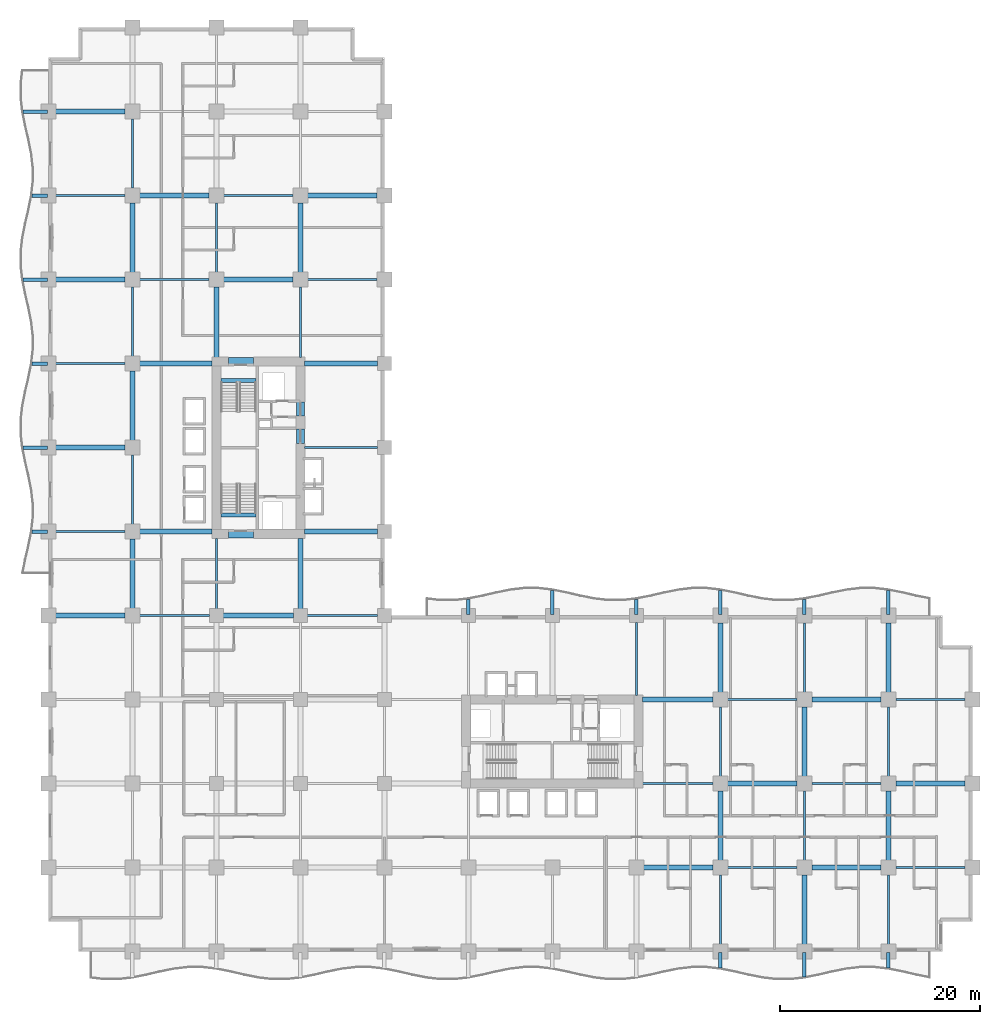
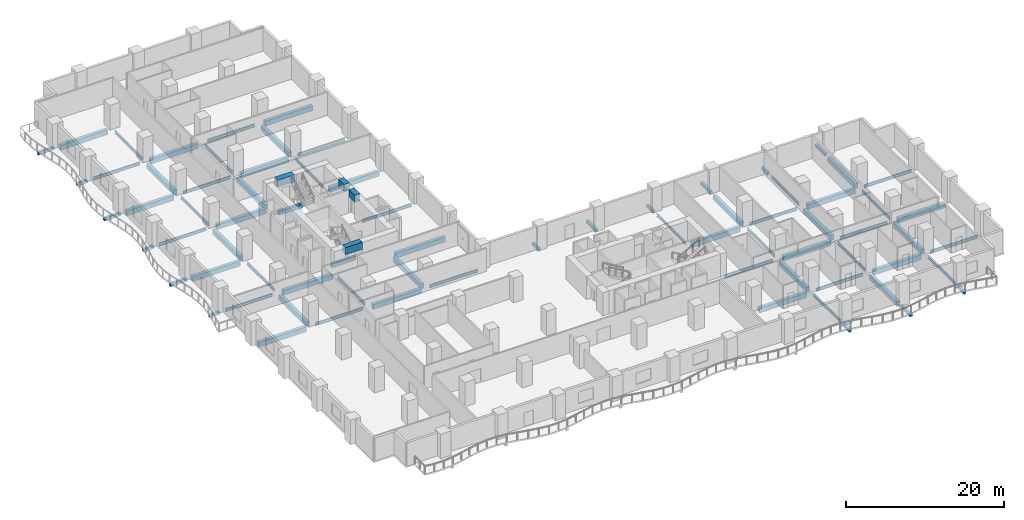
# One storey, part 2 of 18: 79 beams.
"""IFC4 building model written with IfcOpenShell, lengths in metres."""

from ifc_helpers import new_model, si_unit, direction, frame, origin, origin_2d, place, context, subcontext, project, spatial, rectangle, i_section, extrude, material, material_profile, profile_set, type_object, element, save


model = new_model("IFC4")

# Units and contexts
model_context = context("Model", 3, precision=1e-05, world=origin(), true_north=direction((0.0, 1.0)))
body_context = subcontext(model_context, "Body", "Model", "MODEL_VIEW")
ifc_project = project(units=[si_unit("LENGTHUNIT", "METRE"), si_unit("AREAUNIT", "SQUARE_METRE"), si_unit("VOLUMEUNIT", "CUBIC_METRE"), si_unit("PLANEANGLEUNIT", "RADIAN"), si_unit("MASSUNIT", "GRAM", prefix="KILO")], contexts=[model_context])

# Site, building, storey
site_placement = place(None, origin())
site = spatial("IfcSite", under=ifc_project, at=site_placement, CompositionType="ELEMENT")
building_placement = place(site_placement, origin())
building = spatial("IfcBuilding", under=site, at=building_placement, Name="Koriwani Terraces Tower", CompositionType="ELEMENT")
storey_placement = place(building_placement, frame((0.0, 0.0, 81.39990234375)))
storey = spatial("IfcBuildingStorey", under=building, at=storey_placement, Name="L19", CompositionType="ELEMENT", Elevation=81.39990234375)

# Beams
ifc_material_1 = material(Name="Concrete C40/50", Category="concrete")
ifc_material_profile_1 = material_profile(ifc_material_1, rectangle(XDim=0.35009765625, YDim=0.449951171875, at=origin_2d()), Name="Concrete C40/50", Category="LoadBearing")
ifc_profile_set_1 = profile_set([ifc_material_profile_1], Name="Concrete C40/50")
beam_type_1 = type_object("IfcBeamType", Name="BEAM_RC_BALCONY_RIB_350X450", PredefinedType="JOIST", material=ifc_profile_set_1)
beam_1_placement = place(storey_placement, frame((67.199951171875, -1.633056640625, -0.474853515625), z_axis=(0.0, 1.0, 0.0), x_axis=(-1.0, 0.0, 0.0)))
element("IfcBeam", 1, at=beam_1_placement, inside=storey, type_object=beam_type_1, Name="L19 Balcony Bracket Rib S-8", PredefinedType="JOIST", context=body_context, shape_type="SweptSolid", body=[
    extrude(rectangle(XDim=0.35009765625, YDim=0.449951171875, at=origin_2d()), origin(), (0.0, 0.0, 1.0), 1.532958984375),
])
beam_2_placement = place(storey_placement, frame((75.60009765625, -2.516845703125, -0.474853515625), z_axis=(0.0, 1.0, 0.0), x_axis=(-1.0, 0.0, 0.0)))
element("IfcBeam", 2, at=beam_2_placement, inside=storey, type_object=beam_type_1, Name="L19 Balcony Bracket Rib S-9", PredefinedType="JOIST", context=body_context, shape_type="SweptSolid", body=[
    extrude(rectangle(XDim=0.35009765625, YDim=0.449951171875, at=origin_2d()), origin(), (0.0, 0.0, 1.0), 2.416748046875),
])
for number, where, z_axis, x_axis, name in (
    (3, (84.0, -1.633056640625, -0.474853515625), (0.0, 1.0, 0.0), (-1.0, 0.0, 0.0), "L19 Balcony Bracket Rib S-10"),
    (4, (-1.633056640625, 42.0, -0.474853515625), (1.0, 0.0, 0.0), (0.0, 1.0, 0.0), "L19 Balcony Bracket Rib W-1"),
):
    element("IfcBeam", number, at=place(storey_placement, frame(where, z_axis=z_axis, x_axis=x_axis)), inside=storey, type_object=beam_type_1, Name=name, PredefinedType="JOIST", context=body_context, shape_type="SweptSolid", body=[
        extrude(rectangle(XDim=0.35009765625, YDim=0.449951171875, at=origin_2d()), origin(), (0.0, 0.0, 1.0), 1.532958984375),
    ])
beam_3_placement = place(storey_placement, frame((-2.516845703125, 50.39990234375, -0.474853515625), z_axis=(1.0, 0.0, 0.0), x_axis=(0.0, 1.0, 0.0)))
element("IfcBeam", 5, at=beam_3_placement, inside=storey, type_object=beam_type_1, Name="L19 Balcony Bracket Rib W-2", PredefinedType="JOIST", context=body_context, shape_type="SweptSolid", body=[
    extrude(rectangle(XDim=0.35009765625, YDim=0.449951171875, at=origin_2d()), origin(), (0.0, 0.0, 1.0), 2.416748046875),
])
beam_4_placement = place(storey_placement, frame((-1.633056640625, 58.800048828125, -0.474853515625), z_axis=(1.0, 0.0, 0.0), x_axis=(0.0, 1.0, 0.0)))
element("IfcBeam", 6, at=beam_4_placement, inside=storey, type_object=beam_type_1, Name="L19 Balcony Bracket Rib W-3", PredefinedType="JOIST", context=body_context, shape_type="SweptSolid", body=[
    extrude(rectangle(XDim=0.35009765625, YDim=0.449951171875, at=origin_2d()), origin(), (0.0, 0.0, 1.0), 1.532958984375),
])
beam_5_placement = place(storey_placement, frame((-2.516845703125, 67.199951171875, -0.474853515625), z_axis=(1.0, 0.0, 0.0), x_axis=(0.0, 1.0, 0.0)))
element("IfcBeam", 7, at=beam_5_placement, inside=storey, type_object=beam_type_1, Name="L19 Balcony Bracket Rib W-4", PredefinedType="JOIST", context=body_context, shape_type="SweptSolid", body=[
    extrude(rectangle(XDim=0.35009765625, YDim=0.449951171875, at=origin_2d()), origin(), (0.0, 0.0, 1.0), 2.416748046875),
])
beam_6_placement = place(storey_placement, frame((-1.633056640625, 75.60009765625, -0.474853515625), z_axis=(1.0, 0.0, 0.0), x_axis=(0.0, 1.0, 0.0)))
element("IfcBeam", 8, at=beam_6_placement, inside=storey, type_object=beam_type_1, Name="L19 Balcony Bracket Rib W-5", PredefinedType="JOIST", context=body_context, shape_type="SweptSolid", body=[
    extrude(rectangle(XDim=0.35009765625, YDim=0.449951171875, at=origin_2d()), origin(), (0.0, 0.0, 1.0), 1.532958984375),
])
beam_7_placement = place(storey_placement, frame((-2.516845703125, 84.0, -0.474853515625), z_axis=(1.0, 0.0, 0.0), x_axis=(0.0, 1.0, 0.0)))
element("IfcBeam", 9, at=beam_7_placement, inside=storey, type_object=beam_type_1, Name="L19 Balcony Bracket Rib W-6", PredefinedType="JOIST", context=body_context, shape_type="SweptSolid", body=[
    extrude(rectangle(XDim=0.35009765625, YDim=0.449951171875, at=origin_2d()), origin(), (0.0, 0.0, 1.0), 2.416748046875),
])
beam_8_placement = place(storey_placement, frame((42.0, 33.699951171875, -0.474853515625), z_axis=(0.0, 1.0, 0.0), x_axis=(-1.0, 0.0, 0.0)))
element("IfcBeam", 10, at=beam_8_placement, inside=storey, type_object=beam_type_1, Name="L19 Balcony Bracket Rib NE-1", PredefinedType="JOIST", context=body_context, shape_type="SweptSolid", body=[
    extrude(rectangle(XDim=0.35009765625, YDim=0.449951171875, at=origin_2d()), origin(), (0.0, 0.0, 1.0), 1.533203125),
])
beam_9_placement = place(storey_placement, frame((50.39990234375, 33.699951171875, -0.474853515625), z_axis=(0.0, 1.0, 0.0), x_axis=(-1.0, 0.0, 0.0)))
element("IfcBeam", 11, at=beam_9_placement, inside=storey, type_object=beam_type_1, Name="L19 Balcony Bracket Rib NE-2", PredefinedType="JOIST", context=body_context, shape_type="SweptSolid", body=[
    extrude(rectangle(XDim=0.35009765625, YDim=0.449951171875, at=origin_2d()), origin(), (0.0, 0.0, 1.0), 2.4169921875),
])
beam_10_placement = place(storey_placement, frame((58.800048828125, 33.699951171875, -0.474853515625), z_axis=(0.0, 1.0, 0.0), x_axis=(-1.0, 0.0, 0.0)))
element("IfcBeam", 12, at=beam_10_placement, inside=storey, type_object=beam_type_1, Name="L19 Balcony Bracket Rib NE-3", PredefinedType="JOIST", context=body_context, shape_type="SweptSolid", body=[
    extrude(rectangle(XDim=0.35009765625, YDim=0.449951171875, at=origin_2d()), origin(), (0.0, 0.0, 1.0), 1.533203125),
])
beam_11_placement = place(storey_placement, frame((67.199951171875, 33.699951171875, -0.474853515625), z_axis=(0.0, 1.0, 0.0), x_axis=(-1.0, 0.0, 0.0)))
element("IfcBeam", 13, at=beam_11_placement, inside=storey, type_object=beam_type_1, Name="L19 Balcony Bracket Rib NE-4", PredefinedType="JOIST", context=body_context, shape_type="SweptSolid", body=[
    extrude(rectangle(XDim=0.35009765625, YDim=0.449951171875, at=origin_2d()), origin(), (0.0, 0.0, 1.0), 2.4169921875),
])
beam_12_placement = place(storey_placement, frame((75.60009765625, 33.699951171875, -0.474853515625), z_axis=(0.0, 1.0, 0.0), x_axis=(-1.0, 0.0, 0.0)))
element("IfcBeam", 14, at=beam_12_placement, inside=storey, type_object=beam_type_1, Name="L19 Balcony Bracket Rib NE-5", PredefinedType="JOIST", context=body_context, shape_type="SweptSolid", body=[
    extrude(rectangle(XDim=0.35009765625, YDim=0.449951171875, at=origin_2d()), origin(), (0.0, 0.0, 1.0), 1.533203125),
])
beam_13_placement = place(storey_placement, frame((84.0, 33.699951171875, -0.474853515625), z_axis=(0.0, 1.0, 0.0), x_axis=(-1.0, 0.0, 0.0)))
element("IfcBeam", 15, at=beam_13_placement, inside=storey, type_object=beam_type_1, Name="L19 Balcony Bracket Rib NE-6", PredefinedType="JOIST", context=body_context, shape_type="SweptSolid", body=[
    extrude(rectangle(XDim=0.35009765625, YDim=0.449951171875, at=origin_2d()), origin(), (0.0, 0.0, 1.0), 2.4169921875),
])
ifc_material_2 = material(Name="Concrete C60/75", Category="concrete")
ifc_material_profile_2 = material_profile(ifc_material_2, rectangle(XDim=0.800048828125, YDim=1.10009765625, at=origin_2d()), Name="Concrete C60/75", Category="LoadBearing")
ifc_profile_set_2 = profile_set([ifc_material_profile_2], Name="Concrete C60/75")
beam_type_2 = type_object("IfcBeamType", Name="BEAM_RC_COUPLING_800X1100", PredefinedType="LINTEL", material=ifc_profile_set_2)
beam_14_placement = place(storey_placement, frame((25.199951171875, 50.800048828125, 3.0), z_axis=(0.0, 1.0, 0.0), x_axis=(-1.0, 0.0, 0.0)))
element("IfcBeam", 16, at=beam_14_placement, inside=storey, type_object=beam_type_2, Name="L19 Core Coupling Lintel Beam WE1", PredefinedType="LINTEL", context=body_context, shape_type="SweptSolid", body=[
    extrude(rectangle(XDim=0.800048828125, YDim=1.10009765625, at=origin_2d()), origin(), (0.0, 0.0, 1.0), 1.47998046875),
])
beam_15_placement = place(storey_placement, frame((25.199951171875, 53.550048828125, 3.0), z_axis=(0.0, 1.0, 0.0), x_axis=(-1.0, 0.0, 0.0)))
element("IfcBeam", 17, at=beam_15_placement, inside=storey, type_object=beam_type_2, Name="L19 Core Coupling Lintel Beam WE2", PredefinedType="LINTEL", context=body_context, shape_type="SweptSolid", body=[
    extrude(rectangle(XDim=0.800048828125, YDim=1.10009765625, at=origin_2d()), origin(), (0.0, 0.0, 1.0), 1.39990234375),
])
for number, where, z_axis, x_axis, name in (
    (18, (18.0, 41.75, 3.0), (1.0, 0.0, 0.0), (0.0, 1.0, 0.0), "L19 Core Coupling Lintel Beam WS"),
    (19, (18.0, 59.0, 3.0), (1.0, 0.0, 0.0), (0.0, 1.0, 0.0), "L19 Core Coupling Lintel Beam WN"),
):
    element("IfcBeam", number, at=place(storey_placement, frame(where, z_axis=z_axis, x_axis=x_axis)), inside=storey, type_object=beam_type_2, Name=name, PredefinedType="LINTEL", context=body_context, shape_type="SweptSolid", body=[
        extrude(rectangle(XDim=0.800048828125, YDim=1.10009765625, at=origin_2d()), origin(), (0.0, 0.0, 1.0), 2.5),
    ])
ifc_material_profile_3 = material_profile(ifc_material_1, rectangle(XDim=0.39990234375, YDim=0.60009765625, at=origin_2d()), Name="Concrete C40/50", Category="LoadBearing")
ifc_profile_set_3 = profile_set([ifc_material_profile_3], Name="Concrete C40/50")
beam_type_3 = type_object("IfcBeamType", Name="BEAM_RC_GRID_400X600", PredefinedType="BEAM", material=ifc_profile_set_3)
for number, where, z_axis, x_axis, name in (
    (20, (17.25, 43.655029296875, -0.2998046875), (1.0, 0.0, 0.0), (0.0, 1.0, 0.0), "L19 Stairwell Header Trimmer Beam ST-W1"),
    (21, (17.25, 57.094970703125, -0.2998046875), (1.0, 0.0, 0.0), (0.0, 1.0, 0.0), "L19 Stairwell Header Trimmer Beam ST-W2"),
):
    element("IfcBeam", number, at=place(storey_placement, frame(where, z_axis=z_axis, x_axis=x_axis)), inside=storey, type_object=beam_type_3, Name=name, PredefinedType="BEAM", context=body_context, shape_type="SweptSolid", body=[
        extrude(rectangle(XDim=0.39990234375, YDim=0.60009765625, at=origin_2d()), origin(), (0.0, 0.0, 1.0), 3.5),
    ])
ifc_material_3 = material(Name="Concrete C50/60", Category="concrete")
ifc_material_profile_4 = material_profile(ifc_material_3, rectangle(XDim=0.5, YDim=0.75, at=origin_2d()), Name="Concrete C50/60", Category="LoadBearing")
ifc_profile_set_4 = profile_set([ifc_material_profile_4], Name="Concrete C50/60")
beam_type_4 = type_object("IfcBeamType", Name="BEAM_RC_GRID_500X750", PredefinedType="BEAM", material=ifc_profile_set_4)
for number, where, z_axis, x_axis, name in (
    (22, (59.530029296875, 8.39990234375, -0.625), (1.0, 0.0, 0.0), (0.0, 1.0, 0.0), "L19 Grid Beam B (58.8-67.2m)"),
    (23, (76.330078125, 8.39990234375, -0.625), (1.0, 0.0, 0.0), (0.0, 1.0, 0.0), "L19 Grid Beam B (75.6-84.0m)"),
):
    element("IfcBeam", number, at=place(storey_placement, frame(where, z_axis=z_axis, x_axis=x_axis)), inside=storey, type_object=beam_type_4, Name=name, PredefinedType="BEAM", context=body_context, shape_type="SweptSolid", body=[
        extrude(rectangle(XDim=0.5, YDim=0.75, at=origin_2d()), origin(), (0.0, 0.0, 1.0), 6.93994140625),
    ])
beam_16_placement = place(storey_placement, frame((67.929931640625, 16.800048828125, -0.625), z_axis=(1.0, 0.0, 0.0), x_axis=(0.0, 1.0, 0.0)))
element("IfcBeam", 24, at=beam_16_placement, inside=storey, type_object=beam_type_4, Name="L19 Grid Beam C (67.2-75.6m)", PredefinedType="BEAM", context=body_context, shape_type="SweptSolid", body=[
    extrude(rectangle(XDim=0.5, YDim=0.75, at=origin_2d()), origin(), (0.0, 0.0, 1.0), 6.940185546875),
])
beam_17_placement = place(storey_placement, frame((84.72998046875, 16.800048828125, -0.625), z_axis=(1.0, 0.0, 0.0), x_axis=(0.0, 1.0, 0.0)))
element("IfcBeam", 25, at=beam_17_placement, inside=storey, type_object=beam_type_4, Name="L19 Grid Beam C (84.0-92.4m)", PredefinedType="BEAM", context=body_context, shape_type="SweptSolid", body=[
    extrude(rectangle(XDim=0.5, YDim=0.75, at=origin_2d()), origin(), (0.0, 0.0, 1.0), 6.93994140625),
])
beam_18_placement = place(storey_placement, frame((59.429931640625, 25.199951171875, -0.625), z_axis=(1.0, 0.0, 0.0), x_axis=(0.0, 1.0, 0.0)))
element("IfcBeam", 26, at=beam_18_placement, inside=storey, type_object=beam_type_4, Name="L19 Grid Beam D (58.8-67.2m)", PredefinedType="BEAM", context=body_context, shape_type="SweptSolid", body=[
    extrude(rectangle(XDim=0.5, YDim=0.75, at=origin_2d()), origin(), (0.0, 0.0, 1.0), 7.0400390625),
])
for number, where, z_axis, x_axis, name in (
    (27, (76.330078125, 25.199951171875, -0.625), (1.0, 0.0, 0.0), (0.0, 1.0, 0.0), "L19 Grid Beam D (75.6-84.0m)"),
    (28, (0.72998046875, 33.60009765625, -0.625), (1.0, 0.0, 0.0), (0.0, 1.0, 0.0), "L19 Grid Beam E (0.0-8.4m)"),
):
    element("IfcBeam", number, at=place(storey_placement, frame(where, z_axis=z_axis, x_axis=x_axis)), inside=storey, type_object=beam_type_4, Name=name, PredefinedType="BEAM", context=body_context, shape_type="SweptSolid", body=[
        extrude(rectangle(XDim=0.5, YDim=0.75, at=origin_2d()), origin(), (0.0, 0.0, 1.0), 6.93994140625),
    ])
beam_19_placement = place(storey_placement, frame((17.47998046875, 33.60009765625, -0.625), z_axis=(1.0, 0.0, 0.0), x_axis=(0.0, 1.0, 0.0)))
element("IfcBeam", 29, at=beam_19_placement, inside=storey, type_object=beam_type_4, Name="L19 Grid Beam E (16.8-25.2m)", PredefinedType="BEAM", context=body_context, shape_type="SweptSolid", body=[
    extrude(rectangle(XDim=0.5, YDim=0.75, at=origin_2d()), origin(), (0.0, 0.0, 1.0), 7.0400390625),
])
beam_20_placement = place(storey_placement, frame((9.1298828125, 42.0, -0.625), z_axis=(1.0, 0.0, 0.0), x_axis=(0.0, 1.0, 0.0)))
element("IfcBeam", 30, at=beam_20_placement, inside=storey, type_object=beam_type_4, Name="L19 Grid Beam F (8.4-16.8m)", PredefinedType="BEAM", context=body_context, shape_type="SweptSolid", body=[
    extrude(rectangle(XDim=0.5, YDim=0.75, at=origin_2d()), origin(), (0.0, 0.0, 1.0), 7.240234375),
])
beam_21_placement = place(storey_placement, frame((25.6298828125, 42.0, -0.625), z_axis=(1.0, 0.0, 0.0), x_axis=(0.0, 1.0, 0.0)))
element("IfcBeam", 31, at=beam_21_placement, inside=storey, type_object=beam_type_4, Name="L19 Grid Beam F (25.2-33.6m)", PredefinedType="BEAM", context=body_context, shape_type="SweptSolid", body=[
    extrude(rectangle(XDim=0.5, YDim=0.75, at=origin_2d()), origin(), (0.0, 0.0, 1.0), 7.2900390625),
])
beam_22_placement = place(storey_placement, frame((0.72998046875, 50.39990234375, -0.625), z_axis=(1.0, 0.0, 0.0), x_axis=(0.0, 1.0, 0.0)))
element("IfcBeam", 32, at=beam_22_placement, inside=storey, type_object=beam_type_4, Name="L19 Grid Beam G (0.0-8.4m)", PredefinedType="BEAM", context=body_context, shape_type="SweptSolid", body=[
    extrude(rectangle(XDim=0.5, YDim=0.75, at=origin_2d()), origin(), (0.0, 0.0, 1.0), 6.93994140625),
])
beam_23_placement = place(storey_placement, frame((9.1298828125, 58.800048828125, -0.625), z_axis=(1.0, 0.0, 0.0), x_axis=(0.0, 1.0, 0.0)))
element("IfcBeam", 33, at=beam_23_placement, inside=storey, type_object=beam_type_4, Name="L19 Grid Beam H (8.4-16.8m)", PredefinedType="BEAM", context=body_context, shape_type="SweptSolid", body=[
    extrude(rectangle(XDim=0.5, YDim=0.75, at=origin_2d()), origin(), (0.0, 0.0, 1.0), 7.240234375),
])
beam_24_placement = place(storey_placement, frame((25.6298828125, 58.800048828125, -0.625), z_axis=(1.0, 0.0, 0.0), x_axis=(0.0, 1.0, 0.0)))
element("IfcBeam", 34, at=beam_24_placement, inside=storey, type_object=beam_type_4, Name="L19 Grid Beam H (25.2-33.6m)", PredefinedType="BEAM", context=body_context, shape_type="SweptSolid", body=[
    extrude(rectangle(XDim=0.5, YDim=0.75, at=origin_2d()), origin(), (0.0, 0.0, 1.0), 7.2900390625),
])
for number, where, z_axis, x_axis, name in (
    (35, (0.72998046875, 67.199951171875, -0.625), (1.0, 0.0, 0.0), (0.0, 1.0, 0.0), "L19 Grid Beam I (0.0-8.4m)"),
    (36, (17.530029296875, 67.199951171875, -0.625), (1.0, 0.0, 0.0), (0.0, 1.0, 0.0), "L19 Grid Beam I (16.8-25.2m)"),
):
    element("IfcBeam", number, at=place(storey_placement, frame(where, z_axis=z_axis, x_axis=x_axis)), inside=storey, type_object=beam_type_4, Name=name, PredefinedType="BEAM", context=body_context, shape_type="SweptSolid", body=[
        extrude(rectangle(XDim=0.5, YDim=0.75, at=origin_2d()), origin(), (0.0, 0.0, 1.0), 6.93994140625),
    ])
for number, where, z_axis, x_axis, name in (
    (37, (9.1298828125, 75.60009765625, -0.625), (1.0, 0.0, 0.0), (0.0, 1.0, 0.0), "L19 Grid Beam J (8.4-16.8m)"),
    (38, (25.929931640625, 75.60009765625, -0.625), (1.0, 0.0, 0.0), (0.0, 1.0, 0.0), "L19 Grid Beam J (25.2-33.6m)"),
):
    element("IfcBeam", number, at=place(storey_placement, frame(where, z_axis=z_axis, x_axis=x_axis)), inside=storey, type_object=beam_type_4, Name=name, PredefinedType="BEAM", context=body_context, shape_type="SweptSolid", body=[
        extrude(rectangle(XDim=0.5, YDim=0.75, at=origin_2d()), origin(), (0.0, 0.0, 1.0), 6.940185546875),
    ])
for number, where, z_axis, x_axis, name in (
    (39, (0.72998046875, 84.0, -0.625), (1.0, 0.0, 0.0), (0.0, 1.0, 0.0), "L19 Grid Beam K (0.0-8.4m)"),
    (40, (8.39990234375, 34.330078125, -0.625), (0.0, 1.0, 0.0), (-1.0, 0.0, 0.0), "L19 Grid Beam 2 (33.6-42.0m)"),
):
    element("IfcBeam", number, at=place(storey_placement, frame(where, z_axis=z_axis, x_axis=x_axis)), inside=storey, type_object=beam_type_4, Name=name, PredefinedType="BEAM", context=body_context, shape_type="SweptSolid", body=[
        extrude(rectangle(XDim=0.5, YDim=0.75, at=origin_2d()), origin(), (0.0, 0.0, 1.0), 6.93994140625),
    ])
for number, where, z_axis, x_axis, name in (
    (41, (8.39990234375, 51.1298828125, -0.625), (0.0, 1.0, 0.0), (-1.0, 0.0, 0.0), "L19 Grid Beam 2 (50.4-58.8m)"),
    (42, (8.39990234375, 67.929931640625, -0.625), (0.0, 1.0, 0.0), (-1.0, 0.0, 0.0), "L19 Grid Beam 2 (67.2-75.6m)"),
):
    element("IfcBeam", number, at=place(storey_placement, frame(where, z_axis=z_axis, x_axis=x_axis)), inside=storey, type_object=beam_type_4, Name=name, PredefinedType="BEAM", context=body_context, shape_type="SweptSolid", body=[
        extrude(rectangle(XDim=0.5, YDim=0.75, at=origin_2d()), origin(), (0.0, 0.0, 1.0), 6.940185546875),
    ])
for number, where, z_axis, x_axis, name in (
    (43, (16.800048828125, 59.429931640625, -0.625), (0.0, 1.0, 0.0), (-1.0, 0.0, 0.0), "L19 Grid Beam 3 (58.8-67.2m)"),
    (44, (25.199951171875, 34.280029296875, -0.625), (0.0, 1.0, 0.0), (-1.0, 0.0, 0.0), "L19 Grid Beam 4 (33.6-42.0m)"),
):
    element("IfcBeam", number, at=place(storey_placement, frame(where, z_axis=z_axis, x_axis=x_axis)), inside=storey, type_object=beam_type_4, Name=name, PredefinedType="BEAM", context=body_context, shape_type="SweptSolid", body=[
        extrude(rectangle(XDim=0.5, YDim=0.75, at=origin_2d()), origin(), (0.0, 0.0, 1.0), 7.0400390625),
    ])
for number, where, z_axis, x_axis, name in (
    (45, (25.199951171875, 67.929931640625, -0.625), (0.0, 1.0, 0.0), (-1.0, 0.0, 0.0), "L19 Grid Beam 4 (67.2-75.6m)"),
    (46, (67.199951171875, 9.1298828125, -0.625), (0.0, 1.0, 0.0), (-1.0, 0.0, 0.0), "L19 Grid Beam 9 (8.4-16.8m)"),
    (47, (67.199951171875, 25.929931640625, -0.625), (0.0, 1.0, 0.0), (-1.0, 0.0, 0.0), "L19 Grid Beam 9 (25.2-33.6m)"),
):
    element("IfcBeam", number, at=place(storey_placement, frame(where, z_axis=z_axis, x_axis=x_axis)), inside=storey, type_object=beam_type_4, Name=name, PredefinedType="BEAM", context=body_context, shape_type="SweptSolid", body=[
        extrude(rectangle(XDim=0.5, YDim=0.75, at=origin_2d()), origin(), (0.0, 0.0, 1.0), 6.940185546875),
    ])
for number, where, z_axis, x_axis, name in (
    (48, (75.60009765625, 0.72998046875, -0.625), (0.0, 1.0, 0.0), (-1.0, 0.0, 0.0), "L19 Grid Beam 10 (0.0-8.4m)"),
    (49, (75.60009765625, 17.530029296875, -0.625), (0.0, 1.0, 0.0), (-1.0, 0.0, 0.0), "L19 Grid Beam 10 (16.8-25.2m)"),
):
    element("IfcBeam", number, at=place(storey_placement, frame(where, z_axis=z_axis, x_axis=x_axis)), inside=storey, type_object=beam_type_4, Name=name, PredefinedType="BEAM", context=body_context, shape_type="SweptSolid", body=[
        extrude(rectangle(XDim=0.5, YDim=0.75, at=origin_2d()), origin(), (0.0, 0.0, 1.0), 6.93994140625),
    ])
for number, where, z_axis, x_axis, name in (
    (50, (84.0, 9.1298828125, -0.625), (0.0, 1.0, 0.0), (-1.0, 0.0, 0.0), "L19 Grid Beam 11 (8.4-16.8m)"),
    (51, (84.0, 25.929931640625, -0.625), (0.0, 1.0, 0.0), (-1.0, 0.0, 0.0), "L19 Grid Beam 11 (25.2-33.6m)"),
):
    element("IfcBeam", number, at=place(storey_placement, frame(where, z_axis=z_axis, x_axis=x_axis)), inside=storey, type_object=beam_type_4, Name=name, PredefinedType="BEAM", context=body_context, shape_type="SweptSolid", body=[
        extrude(rectangle(XDim=0.5, YDim=0.75, at=origin_2d()), origin(), (0.0, 0.0, 1.0), 6.940185546875),
    ])
ifc_material_4 = material(Name="Steel ASTM A572 Grade 50", Category="steel")
ifc_material_profile_5 = material_profile(ifc_material_4, i_section(OverallWidth=0.19189453125, OverallDepth=0.462890625, WebThickness=0.010498046875, FlangeThickness=0.01611328125, at=origin_2d()), Name="Steel ASTM A572 Grade 50", Category="LoadBearing")
ifc_profile_set_5 = profile_set([ifc_material_profile_5], Name="Steel ASTM A572 Grade 50")
beam_type_5 = type_object("IfcBeamType", Name="STEEL_BEAM_W460X89", PredefinedType="BEAM", material=ifc_profile_set_5)
beam_25_placement = place(storey_placement, frame((67.929931640625, 8.39990234375, -0.4814453125), z_axis=(1.0, 0.0, 0.0), x_axis=(0.0, 1.0, 0.0)))
element("IfcBeam", 52, at=beam_25_placement, inside=storey, type_object=beam_type_5, Name="L19 Grid Beam B (67.2-75.6m)", PredefinedType="BEAM", context=body_context, shape_type="SweptSolid", body=[
    extrude(i_section(OverallWidth=0.19189453125, OverallDepth=0.462890625, WebThickness=0.010498046875, FlangeThickness=0.01611328125, at=origin_2d()), origin(), (0.0, 0.0, 1.0), 6.940185546875),
])
beam_26_placement = place(storey_placement, frame((84.72998046875, 8.39990234375, -0.4814453125), z_axis=(1.0, 0.0, 0.0), x_axis=(0.0, 1.0, 0.0)))
element("IfcBeam", 53, at=beam_26_placement, inside=storey, type_object=beam_type_5, Name="L19 Grid Beam B (84.0-92.4m)", PredefinedType="BEAM", context=body_context, shape_type="SweptSolid", body=[
    extrude(i_section(OverallWidth=0.19189453125, OverallDepth=0.462890625, WebThickness=0.010498046875, FlangeThickness=0.01611328125, at=origin_2d()), origin(), (0.0, 0.0, 1.0), 6.93994140625),
])
beam_27_placement = place(storey_placement, frame((59.429931640625, 16.800048828125, -0.4814453125), z_axis=(1.0, 0.0, 0.0), x_axis=(0.0, 1.0, 0.0)))
element("IfcBeam", 54, at=beam_27_placement, inside=storey, type_object=beam_type_5, Name="L19 Grid Beam C (58.8-67.2m)", PredefinedType="BEAM", context=body_context, shape_type="SweptSolid", body=[
    extrude(i_section(OverallWidth=0.19189453125, OverallDepth=0.462890625, WebThickness=0.010498046875, FlangeThickness=0.01611328125, at=origin_2d()), origin(), (0.0, 0.0, 1.0), 7.0400390625),
])
beam_28_placement = place(storey_placement, frame((76.330078125, 16.800048828125, -0.4814453125), z_axis=(1.0, 0.0, 0.0), x_axis=(0.0, 1.0, 0.0)))
element("IfcBeam", 55, at=beam_28_placement, inside=storey, type_object=beam_type_5, Name="L19 Grid Beam C (75.6-84.0m)", PredefinedType="BEAM", context=body_context, shape_type="SweptSolid", body=[
    extrude(i_section(OverallWidth=0.19189453125, OverallDepth=0.462890625, WebThickness=0.010498046875, FlangeThickness=0.01611328125, at=origin_2d()), origin(), (0.0, 0.0, 1.0), 6.93994140625),
])
beam_29_placement = place(storey_placement, frame((67.929931640625, 25.199951171875, -0.4814453125), z_axis=(1.0, 0.0, 0.0), x_axis=(0.0, 1.0, 0.0)))
element("IfcBeam", 56, at=beam_29_placement, inside=storey, type_object=beam_type_5, Name="L19 Grid Beam D (67.2-75.6m)", PredefinedType="BEAM", context=body_context, shape_type="SweptSolid", body=[
    extrude(i_section(OverallWidth=0.19189453125, OverallDepth=0.462890625, WebThickness=0.010498046875, FlangeThickness=0.01611328125, at=origin_2d()), origin(), (0.0, 0.0, 1.0), 6.940185546875),
])
beam_30_placement = place(storey_placement, frame((84.72998046875, 25.199951171875, -0.4814453125), z_axis=(1.0, 0.0, 0.0), x_axis=(0.0, 1.0, 0.0)))
element("IfcBeam", 57, at=beam_30_placement, inside=storey, type_object=beam_type_5, Name="L19 Grid Beam D (84.0-92.4m)", PredefinedType="BEAM", context=body_context, shape_type="SweptSolid", body=[
    extrude(i_section(OverallWidth=0.19189453125, OverallDepth=0.462890625, WebThickness=0.010498046875, FlangeThickness=0.01611328125, at=origin_2d()), origin(), (0.0, 0.0, 1.0), 6.93994140625),
])
beam_31_placement = place(storey_placement, frame((9.1298828125, 33.60009765625, -0.4814453125), z_axis=(1.0, 0.0, 0.0), x_axis=(0.0, 1.0, 0.0)))
element("IfcBeam", 58, at=beam_31_placement, inside=storey, type_object=beam_type_5, Name="L19 Grid Beam E (8.4-16.8m)", PredefinedType="BEAM", context=body_context, shape_type="SweptSolid", body=[
    extrude(i_section(OverallWidth=0.19189453125, OverallDepth=0.462890625, WebThickness=0.010498046875, FlangeThickness=0.01611328125, at=origin_2d()), origin(), (0.0, 0.0, 1.0), 6.990234375),
])
beam_32_placement = place(storey_placement, frame((25.8798828125, 33.60009765625, -0.4814453125), z_axis=(1.0, 0.0, 0.0), x_axis=(0.0, 1.0, 0.0)))
element("IfcBeam", 59, at=beam_32_placement, inside=storey, type_object=beam_type_5, Name="L19 Grid Beam E (25.2-33.6m)", PredefinedType="BEAM", context=body_context, shape_type="SweptSolid", body=[
    extrude(i_section(OverallWidth=0.19189453125, OverallDepth=0.462890625, WebThickness=0.010498046875, FlangeThickness=0.01611328125, at=origin_2d()), origin(), (0.0, 0.0, 1.0), 7.0400390625),
])
beam_33_placement = place(storey_placement, frame((0.72998046875, 42.0, -0.4814453125), z_axis=(1.0, 0.0, 0.0), x_axis=(0.0, 1.0, 0.0)))
element("IfcBeam", 60, at=beam_33_placement, inside=storey, type_object=beam_type_5, Name="L19 Grid Beam F (0.0-8.4m)", PredefinedType="BEAM", context=body_context, shape_type="SweptSolid", body=[
    extrude(i_section(OverallWidth=0.19189453125, OverallDepth=0.462890625, WebThickness=0.010498046875, FlangeThickness=0.01611328125, at=origin_2d()), origin(), (0.0, 0.0, 1.0), 6.93994140625),
])
beam_34_placement = place(storey_placement, frame((25.6298828125, 50.39990234375, -0.4814453125), z_axis=(1.0, 0.0, 0.0), x_axis=(0.0, 1.0, 0.0)))
element("IfcBeam", 61, at=beam_34_placement, inside=storey, type_object=beam_type_5, Name="L19 Grid Beam G (25.2-33.6m)", PredefinedType="BEAM", context=body_context, shape_type="SweptSolid", body=[
    extrude(i_section(OverallWidth=0.19189453125, OverallDepth=0.462890625, WebThickness=0.010498046875, FlangeThickness=0.01611328125, at=origin_2d()), origin(), (0.0, 0.0, 1.0), 7.2900390625),
])
beam_35_placement = place(storey_placement, frame((0.72998046875, 58.800048828125, -0.4814453125), z_axis=(1.0, 0.0, 0.0), x_axis=(0.0, 1.0, 0.0)))
element("IfcBeam", 62, at=beam_35_placement, inside=storey, type_object=beam_type_5, Name="L19 Grid Beam H (0.0-8.4m)", PredefinedType="BEAM", context=body_context, shape_type="SweptSolid", body=[
    extrude(i_section(OverallWidth=0.19189453125, OverallDepth=0.462890625, WebThickness=0.010498046875, FlangeThickness=0.01611328125, at=origin_2d()), origin(), (0.0, 0.0, 1.0), 6.93994140625),
])
for number, where, z_axis, x_axis, name in (
    (63, (9.1298828125, 67.199951171875, -0.4814453125), (1.0, 0.0, 0.0), (0.0, 1.0, 0.0), "L19 Grid Beam I (8.4-16.8m)"),
    (64, (25.929931640625, 67.199951171875, -0.4814453125), (1.0, 0.0, 0.0), (0.0, 1.0, 0.0), "L19 Grid Beam I (25.2-33.6m)"),
):
    element("IfcBeam", number, at=place(storey_placement, frame(where, z_axis=z_axis, x_axis=x_axis)), inside=storey, type_object=beam_type_5, Name=name, PredefinedType="BEAM", context=body_context, shape_type="SweptSolid", body=[
        extrude(i_section(OverallWidth=0.19189453125, OverallDepth=0.462890625, WebThickness=0.010498046875, FlangeThickness=0.01611328125, at=origin_2d()), origin(), (0.0, 0.0, 1.0), 6.940185546875),
    ])
for number, where, z_axis, x_axis, name in (
    (65, (0.72998046875, 75.60009765625, -0.4814453125), (1.0, 0.0, 0.0), (0.0, 1.0, 0.0), "L19 Grid Beam J (0.0-8.4m)"),
    (66, (17.530029296875, 75.60009765625, -0.4814453125), (1.0, 0.0, 0.0), (0.0, 1.0, 0.0), "L19 Grid Beam J (16.8-25.2m)"),
    (67, (8.39990234375, 42.72998046875, -0.4814453125), (0.0, 1.0, 0.0), (-1.0, 0.0, 0.0), "L19 Grid Beam 2 (42.0-50.4m)"),
    (68, (8.39990234375, 59.530029296875, -0.4814453125), (0.0, 1.0, 0.0), (-1.0, 0.0, 0.0), "L19 Grid Beam 2 (58.8-67.2m)"),
    (69, (8.39990234375, 76.330078125, -0.4814453125), (0.0, 1.0, 0.0), (-1.0, 0.0, 0.0), "L19 Grid Beam 2 (75.6-84.0m)"),
):
    element("IfcBeam", number, at=place(storey_placement, frame(where, z_axis=z_axis, x_axis=x_axis)), inside=storey, type_object=beam_type_5, Name=name, PredefinedType="BEAM", context=body_context, shape_type="SweptSolid", body=[
        extrude(i_section(OverallWidth=0.19189453125, OverallDepth=0.462890625, WebThickness=0.010498046875, FlangeThickness=0.01611328125, at=origin_2d()), origin(), (0.0, 0.0, 1.0), 6.93994140625),
    ])
beam_36_placement = place(storey_placement, frame((16.800048828125, 34.280029296875, -0.4814453125), z_axis=(0.0, 1.0, 0.0), x_axis=(-1.0, 0.0, 0.0)))
element("IfcBeam", 70, at=beam_36_placement, inside=storey, type_object=beam_type_5, Name="L19 Grid Beam 3 (33.6-42.0m)", PredefinedType="BEAM", context=body_context, shape_type="SweptSolid", body=[
    extrude(i_section(OverallWidth=0.19189453125, OverallDepth=0.462890625, WebThickness=0.010498046875, FlangeThickness=0.01611328125, at=origin_2d()), origin(), (0.0, 0.0, 1.0), 7.0400390625),
])
beam_37_placement = place(storey_placement, frame((16.800048828125, 67.929931640625, -0.4814453125), z_axis=(0.0, 1.0, 0.0), x_axis=(-1.0, 0.0, 0.0)))
element("IfcBeam", 71, at=beam_37_placement, inside=storey, type_object=beam_type_5, Name="L19 Grid Beam 3 (67.2-75.6m)", PredefinedType="BEAM", context=body_context, shape_type="SweptSolid", body=[
    extrude(i_section(OverallWidth=0.19189453125, OverallDepth=0.462890625, WebThickness=0.010498046875, FlangeThickness=0.01611328125, at=origin_2d()), origin(), (0.0, 0.0, 1.0), 6.940185546875),
])
beam_38_placement = place(storey_placement, frame((25.199951171875, 59.429931640625, -0.4814453125), z_axis=(0.0, 1.0, 0.0), x_axis=(-1.0, 0.0, 0.0)))
element("IfcBeam", 72, at=beam_38_placement, inside=storey, type_object=beam_type_5, Name="L19 Grid Beam 4 (58.8-67.2m)", PredefinedType="BEAM", context=body_context, shape_type="SweptSolid", body=[
    extrude(i_section(OverallWidth=0.19189453125, OverallDepth=0.462890625, WebThickness=0.010498046875, FlangeThickness=0.01611328125, at=origin_2d()), origin(), (0.0, 0.0, 1.0), 7.0400390625),
])
beam_39_placement = place(storey_placement, frame((58.800048828125, 25.6298828125, -0.4814453125), z_axis=(0.0, 1.0, 0.0), x_axis=(-1.0, 0.0, 0.0)))
element("IfcBeam", 73, at=beam_39_placement, inside=storey, type_object=beam_type_5, Name="L19 Grid Beam 8 (25.2-33.6m)", PredefinedType="BEAM", context=body_context, shape_type="SweptSolid", body=[
    extrude(i_section(OverallWidth=0.19189453125, OverallDepth=0.462890625, WebThickness=0.010498046875, FlangeThickness=0.01611328125, at=origin_2d()), origin(), (0.0, 0.0, 1.0), 7.2900390625),
])
for number, where, z_axis, x_axis, name in (
    (74, (67.199951171875, 0.72998046875, -0.4814453125), (0.0, 1.0, 0.0), (-1.0, 0.0, 0.0), "L19 Grid Beam 9 (0.0-8.4m)"),
    (75, (67.199951171875, 17.530029296875, -0.4814453125), (0.0, 1.0, 0.0), (-1.0, 0.0, 0.0), "L19 Grid Beam 9 (16.8-25.2m)"),
):
    element("IfcBeam", number, at=place(storey_placement, frame(where, z_axis=z_axis, x_axis=x_axis)), inside=storey, type_object=beam_type_5, Name=name, PredefinedType="BEAM", context=body_context, shape_type="SweptSolid", body=[
        extrude(i_section(OverallWidth=0.19189453125, OverallDepth=0.462890625, WebThickness=0.010498046875, FlangeThickness=0.01611328125, at=origin_2d()), origin(), (0.0, 0.0, 1.0), 6.93994140625),
    ])
for number, where, z_axis, x_axis, name in (
    (76, (75.60009765625, 9.1298828125, -0.4814453125), (0.0, 1.0, 0.0), (-1.0, 0.0, 0.0), "L19 Grid Beam 10 (8.4-16.8m)"),
    (77, (75.60009765625, 25.929931640625, -0.4814453125), (0.0, 1.0, 0.0), (-1.0, 0.0, 0.0), "L19 Grid Beam 10 (25.2-33.6m)"),
):
    element("IfcBeam", number, at=place(storey_placement, frame(where, z_axis=z_axis, x_axis=x_axis)), inside=storey, type_object=beam_type_5, Name=name, PredefinedType="BEAM", context=body_context, shape_type="SweptSolid", body=[
        extrude(i_section(OverallWidth=0.19189453125, OverallDepth=0.462890625, WebThickness=0.010498046875, FlangeThickness=0.01611328125, at=origin_2d()), origin(), (0.0, 0.0, 1.0), 6.940185546875),
    ])
for number, where, z_axis, x_axis, name in (
    (78, (84.0, 0.72998046875, -0.4814453125), (0.0, 1.0, 0.0), (-1.0, 0.0, 0.0), "L19 Grid Beam 11 (0.0-8.4m)"),
    (79, (84.0, 17.530029296875, -0.4814453125), (0.0, 1.0, 0.0), (-1.0, 0.0, 0.0), "L19 Grid Beam 11 (16.8-25.2m)"),
):
    element("IfcBeam", number, at=place(storey_placement, frame(where, z_axis=z_axis, x_axis=x_axis)), inside=storey, type_object=beam_type_5, Name=name, PredefinedType="BEAM", context=body_context, shape_type="SweptSolid", body=[
        extrude(i_section(OverallWidth=0.19189453125, OverallDepth=0.462890625, WebThickness=0.010498046875, FlangeThickness=0.01611328125, at=origin_2d()), origin(), (0.0, 0.0, 1.0), 6.93994140625),
    ])

save(model, "model.ifc")
